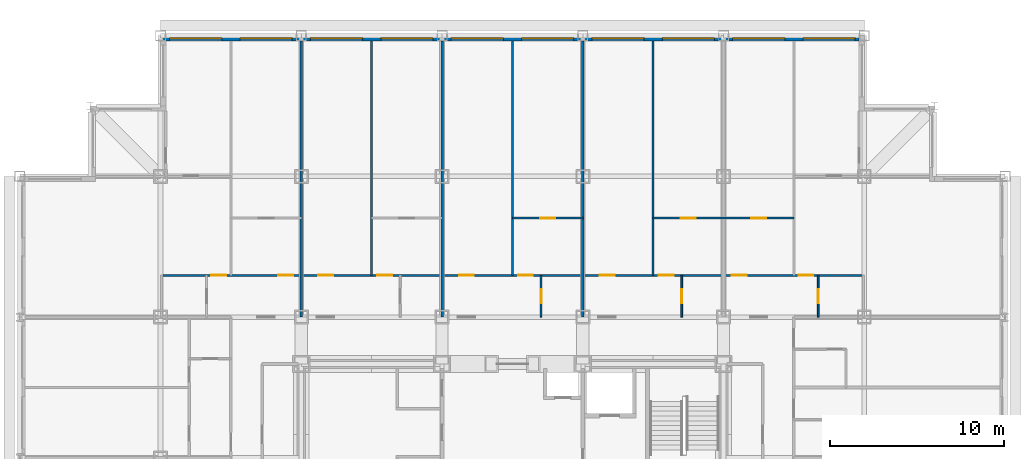
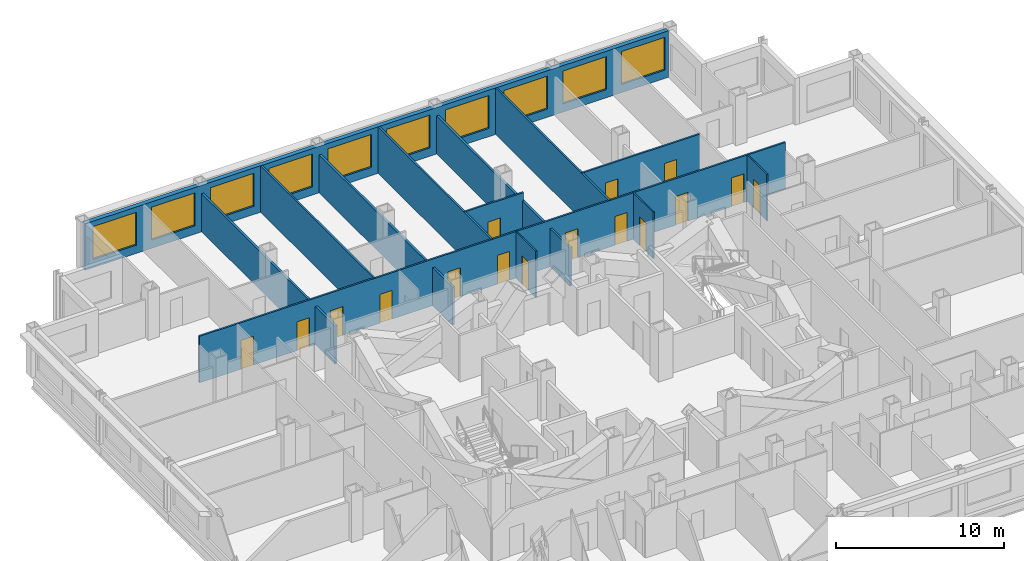
# One storey, part 10 of 12: 16 doors, 13 walls, 10 windows, 26 openings.
"""IFC4 building model written with IfcOpenShell, lengths in metres."""

from ifc_helpers import new_model, si_unit, direction, frame, frame_2d, origin, place, context, subcontext, project, spatial, rectangle, extrude, material, layer, layer_set, type_object, element, fill, save


model = new_model("IFC4")

# Units and contexts
model_context = context("Model", 3, precision=1e-05, world=origin(), true_north=direction((0.0, 1.0)))
body_context = subcontext(model_context, "Body", "Model", "MODEL_VIEW")
ifc_project = project(units=[si_unit("LENGTHUNIT", "METRE"), si_unit("AREAUNIT", "SQUARE_METRE"), si_unit("VOLUMEUNIT", "CUBIC_METRE"), si_unit("PLANEANGLEUNIT", "RADIAN"), si_unit("MASSUNIT", "GRAM", prefix="KILO")], contexts=[model_context])

# Site, building, storey
site_placement = place(None, origin())
site = spatial("IfcSite", under=ifc_project, at=site_placement, CompositionType="ELEMENT")
building_placement = place(site_placement, origin())
building = spatial("IfcBuilding", under=site, at=building_placement, Name="Kopane Lantern Tower", CompositionType="ELEMENT")
storey_placement = place(building_placement, frame((0.0, 0.0, 170.39990234375)))
storey = spatial("IfcBuildingStorey", under=building, at=storey_placement, Name="L43", CompositionType="ELEMENT", Elevation=170.39990234375)

# Walls
ifc_material_1 = material(Name="Gypsum board on steel studs", Category="steel")
ifc_layer_1 = layer(ifc_material_1, 0.1201171875)
ifc_layer_set_1 = layer_set([ifc_layer_1], Name="APARTMENT INTERNAL WALL 120")
wall_type_1 = type_object("IfcWallType", Name="APARTMENT INTERNAL WALL 120", PredefinedType="PARTITIONING", material=ifc_layer_set_1)
for number, where, z_axis, x_axis, name in (
    (1, (20.25, 45.60009765625, 0.0), (0.0, 0.0, 1.0), (0.0, 1.0, 0.0), "Apartment Internal Wall 120 L43"),
    (2, (28.35009765625, 45.60009765625, 0.0), (0.0, 0.0, 1.0), (0.0, 1.0, 0.0), "Apartment Internal Wall 120 L43"),
    (3, (36.449951171875, 45.60009765625, 0.0), (0.0, 0.0, 1.0), (0.0, 1.0, 0.0), "Apartment Internal Wall 120 L43"),
):
    element("IfcWall", number, at=place(storey_placement, frame(where, z_axis=z_axis, x_axis=x_axis)), inside=storey, type_object=wall_type_1, Name=name, PredefinedType="PARTITIONING", context=body_context, shape_type="SweptSolid", body=[
        extrude(rectangle(XDim=13.5, YDim=0.1201171875, at=frame_2d((6.75, 0.0))), origin(), (0.0, 0.0, 1.0), 3.39013671875),
    ])

# Wall, openings, doors
wall_1_placement = place(storey_placement, frame((8.14990234375, 45.60009765625, 0.0), z_axis=(0.0, 0.0, 1.0), x_axis=(1.0, 0.0, 0.0)))
wall_1 = element("IfcWall", 4, at=wall_1_placement, inside=storey, type_object=wall_type_1, Name="Apartment Internal Wall 120 L43", PredefinedType="PARTITIONING", context=body_context, shape_type="SweptSolid", body=[
    extrude(rectangle(XDim=40.400146484375, YDim=0.1201171875, at=frame_2d((20.2001953125, 0.0))), origin(), (0.0, 0.0, 1.0), 3.39013671875),
])
opening_1_placement = place(wall_1_placement, frame((9.02490234375, 0.0, 0.0)))
opening_1 = element("IfcOpeningElement", 5, at=opening_1_placement, cuts=wall_1, Name="Opening L43-022", PredefinedType="OPENING", context=body_context, shape_type="SweptSolid", body=[
    extrude(rectangle(XDim=0.85009765625, YDim=2.10009765625, at=frame_2d((0.425048828125, 1.050048828125))), frame((0.0, 0.070068359375, 0.0), z_axis=(0.0, -1.0, 0.0), x_axis=(1.0, 0.0, 0.0)), (0.0, 0.0, 1.0), 0.14013671875),
])
opening_2_placement = place(wall_1_placement, frame((12.425048828125, 0.0, 0.0)))
opening_2 = element("IfcOpeningElement", 6, at=opening_2_placement, cuts=wall_1, Name="Opening L43-023", PredefinedType="OPENING", context=body_context, shape_type="SweptSolid", body=[
    extrude(rectangle(XDim=0.85009765625, YDim=2.10009765625, at=frame_2d((0.425048828125, 1.050048828125))), frame((0.0, 0.070068359375, 0.0), z_axis=(0.0, -1.0, 0.0), x_axis=(1.0, 0.0, 0.0)), (0.0, 0.0, 1.0), 0.14013671875),
])
opening_3_placement = place(wall_1_placement, frame((17.125, 0.0, 0.0)))
opening_3 = element("IfcOpeningElement", 7, at=opening_3_placement, cuts=wall_1, Name="Opening L43-026", PredefinedType="OPENING", context=body_context, shape_type="SweptSolid", body=[
    extrude(rectangle(XDim=0.85009765625, YDim=2.10009765625, at=frame_2d((0.425048828125, 1.050048828125))), frame((0.0, 0.070068359375, 0.0), z_axis=(0.0, -1.0, 0.0), x_axis=(1.0, 0.0, 0.0)), (0.0, 0.0, 1.0), 0.14013671875),
])
opening_4_placement = place(wall_1_placement, frame((20.52490234375, 0.0, 0.0)))
opening_4 = element("IfcOpeningElement", 8, at=opening_4_placement, cuts=wall_1, Name="Opening L43-027", PredefinedType="OPENING", context=body_context, shape_type="SweptSolid", body=[
    extrude(rectangle(XDim=0.85009765625, YDim=2.10009765625, at=frame_2d((0.425048828125, 1.050048828125))), frame((0.0, 0.070068359375, 0.0), z_axis=(0.0, -1.0, 0.0), x_axis=(1.0, 0.0, 0.0)), (0.0, 0.0, 1.0), 0.14013671875),
])
opening_5_placement = place(wall_1_placement, frame((25.22509765625, 0.0, 0.0)))
opening_5 = element("IfcOpeningElement", 9, at=opening_5_placement, cuts=wall_1, Name="Opening L43-030", PredefinedType="OPENING", context=body_context, shape_type="SweptSolid", body=[
    extrude(rectangle(XDim=0.85009765625, YDim=2.10009765625, at=frame_2d((0.425048828125, 1.050048828125))), frame((0.0, 0.070068359375, 0.0), z_axis=(0.0, -1.0, 0.0), x_axis=(1.0, 0.0, 0.0)), (0.0, 0.0, 1.0), 0.14013671875),
])
opening_6_placement = place(wall_1_placement, frame((28.625, 0.0, 0.0)))
opening_6 = element("IfcOpeningElement", 10, at=opening_6_placement, cuts=wall_1, Name="Opening L43-031", PredefinedType="OPENING", context=body_context, shape_type="SweptSolid", body=[
    extrude(rectangle(XDim=0.85009765625, YDim=2.10009765625, at=frame_2d((0.425048828125, 1.050048828125))), frame((0.0, 0.070068359375, 0.0), z_axis=(0.0, -1.0, 0.0), x_axis=(1.0, 0.0, 0.0)), (0.0, 0.0, 1.0), 0.14013671875),
])
opening_7_placement = place(wall_1_placement, frame((32.824951171875, 0.0, 0.0)))
opening_7 = element("IfcOpeningElement", 11, at=opening_7_placement, cuts=wall_1, Name="Opening L43-063", PredefinedType="OPENING", context=body_context, shape_type="SweptSolid", body=[
    extrude(rectangle(XDim=0.85009765625, YDim=2.10009765625, at=frame_2d((0.425048828125, 1.050048828125))), frame((0.0, 0.070068359375, 0.0), z_axis=(0.0, -1.0, 0.0), x_axis=(1.0, 0.0, 0.0)), (0.0, 0.0, 1.0), 0.14013671875),
])
opening_8_placement = place(wall_1_placement, frame((36.675048828125, 0.0, 0.0)))
opening_8 = element("IfcOpeningElement", 12, at=opening_8_placement, cuts=wall_1, Name="Opening L43-065", PredefinedType="OPENING", context=body_context, shape_type="SweptSolid", body=[
    extrude(rectangle(XDim=0.85009765625, YDim=2.10009765625, at=frame_2d((0.425048828125, 1.050048828125))), frame((0.0, 0.070068359375, 0.0), z_axis=(0.0, -1.0, 0.0), x_axis=(1.0, 0.0, 0.0)), (0.0, 0.0, 1.0), 0.14013671875),
])
opening_9_placement = place(wall_1_placement, frame((6.72509765625, 0.0, 0.0)))
opening_9 = element("IfcOpeningElement", 13, at=opening_9_placement, cuts=wall_1, Name="Opening L43-068", PredefinedType="OPENING", context=body_context, shape_type="SweptSolid", body=[
    extrude(rectangle(XDim=0.85009765625, YDim=2.10009765625, at=frame_2d((0.425048828125, 1.050048828125))), frame((0.0, 0.070068359375, 0.0), z_axis=(0.0, -1.0, 0.0), x_axis=(1.0, 0.0, 0.0)), (0.0, 0.0, 1.0), 0.14013671875),
])
opening_10_placement = place(wall_1_placement, frame((2.875, 0.0, 0.0)))
opening_10 = element("IfcOpeningElement", 14, at=opening_10_placement, cuts=wall_1, Name="Opening L43-070", PredefinedType="OPENING", context=body_context, shape_type="SweptSolid", body=[
    extrude(rectangle(XDim=0.85009765625, YDim=2.10009765625, at=frame_2d((0.425048828125, 1.050048828125))), frame((0.0, 0.070068359375, 0.0), z_axis=(0.0, -1.0, 0.0), x_axis=(1.0, 0.0, 0.0)), (0.0, 0.0, 1.0), 0.14013671875),
])
ifc_material_2 = material(Name="Timber door set", Category="wood")
door_type_1 = type_object("IfcDoorType", Name="DOOR D4 850x2100", OperationType="SINGLE_SWING_LEFT", PredefinedType="DOOR", material=ifc_material_2)
door_1_placement = place(opening_1_placement, origin())
door_1 = element("IfcDoor", 15, at=door_1_placement, inside=storey, type_object=door_type_1, Name="Door L43-022", OperationType="SINGLE_SWING_RIGHT", OverallHeight=2.10009765625, OverallWidth=0.85009765625, PredefinedType="DOOR", context=body_context, shape_type="SweptSolid", body=[
    extrude(rectangle(XDim=0.85009765625, YDim=2.10009765625, at=frame_2d((0.425048828125, 1.050048828125))), frame((0.0, 0.02490234375, 0.0), z_axis=(0.0, -1.0, 0.0), x_axis=(1.0, 0.0, 0.0)), (0.0, 0.0, 1.0), 0.050048828125),
])
fill(opening_1, door_1)
door_2_placement = place(opening_2_placement, origin())
door_2 = element("IfcDoor", 16, at=door_2_placement, inside=storey, type_object=door_type_1, Name="Door L43-023", OperationType="SINGLE_SWING_LEFT", OverallHeight=2.10009765625, OverallWidth=0.85009765625, PredefinedType="DOOR", context=body_context, shape_type="SweptSolid", body=[
    extrude(rectangle(XDim=0.85009765625, YDim=2.10009765625, at=frame_2d((0.425048828125, 1.050048828125))), frame((0.0, 0.02490234375, 0.0), z_axis=(0.0, -1.0, 0.0), x_axis=(1.0, 0.0, 0.0)), (0.0, 0.0, 1.0), 0.050048828125),
])
fill(opening_2, door_2)
door_3_placement = place(opening_3_placement, origin())
door_3 = element("IfcDoor", 17, at=door_3_placement, inside=storey, type_object=door_type_1, Name="Door L43-026", OperationType="SINGLE_SWING_RIGHT", OverallHeight=2.10009765625, OverallWidth=0.85009765625, PredefinedType="DOOR", context=body_context, shape_type="SweptSolid", body=[
    extrude(rectangle(XDim=0.85009765625, YDim=2.10009765625, at=frame_2d((0.425048828125, 1.050048828125))), frame((0.0, 0.02490234375, 0.0), z_axis=(0.0, -1.0, 0.0), x_axis=(1.0, 0.0, 0.0)), (0.0, 0.0, 1.0), 0.050048828125),
])
fill(opening_3, door_3)
door_4_placement = place(opening_4_placement, origin())
door_4 = element("IfcDoor", 18, at=door_4_placement, inside=storey, type_object=door_type_1, Name="Door L43-027", OperationType="SINGLE_SWING_LEFT", OverallHeight=2.10009765625, OverallWidth=0.85009765625, PredefinedType="DOOR", context=body_context, shape_type="SweptSolid", body=[
    extrude(rectangle(XDim=0.85009765625, YDim=2.10009765625, at=frame_2d((0.425048828125, 1.050048828125))), frame((0.0, 0.02490234375, 0.0), z_axis=(0.0, -1.0, 0.0), x_axis=(1.0, 0.0, 0.0)), (0.0, 0.0, 1.0), 0.050048828125),
])
fill(opening_4, door_4)
door_5_placement = place(opening_5_placement, origin())
door_5 = element("IfcDoor", 19, at=door_5_placement, inside=storey, type_object=door_type_1, Name="Door L43-030", OperationType="SINGLE_SWING_RIGHT", OverallHeight=2.10009765625, OverallWidth=0.85009765625, PredefinedType="DOOR", context=body_context, shape_type="SweptSolid", body=[
    extrude(rectangle(XDim=0.85009765625, YDim=2.10009765625, at=frame_2d((0.425048828125, 1.050048828125))), frame((0.0, 0.02490234375, 0.0), z_axis=(0.0, -1.0, 0.0), x_axis=(1.0, 0.0, 0.0)), (0.0, 0.0, 1.0), 0.050048828125),
])
fill(opening_5, door_5)
door_6_placement = place(opening_6_placement, origin())
door_6 = element("IfcDoor", 20, at=door_6_placement, inside=storey, type_object=door_type_1, Name="Door L43-031", OperationType="SINGLE_SWING_LEFT", OverallHeight=2.10009765625, OverallWidth=0.85009765625, PredefinedType="DOOR", context=body_context, shape_type="SweptSolid", body=[
    extrude(rectangle(XDim=0.85009765625, YDim=2.10009765625, at=frame_2d((0.425048828125, 1.050048828125))), frame((0.0, 0.02490234375, 0.0), z_axis=(0.0, -1.0, 0.0), x_axis=(1.0, 0.0, 0.0)), (0.0, 0.0, 1.0), 0.050048828125),
])
fill(opening_6, door_6)
door_7_placement = place(opening_7_placement, origin())
door_7 = element("IfcDoor", 21, at=door_7_placement, inside=storey, type_object=door_type_1, Name="Door L43-063", OperationType="SINGLE_SWING_RIGHT", OverallHeight=2.10009765625, OverallWidth=0.85009765625, PredefinedType="DOOR", context=body_context, shape_type="SweptSolid", body=[
    extrude(rectangle(XDim=0.85009765625, YDim=2.10009765625, at=frame_2d((0.425048828125, 1.050048828125))), frame((0.0, 0.02490234375, 0.0), z_axis=(0.0, -1.0, 0.0), x_axis=(1.0, 0.0, 0.0)), (0.0, 0.0, 1.0), 0.050048828125),
])
fill(opening_7, door_7)
door_8_placement = place(opening_8_placement, origin())
door_8 = element("IfcDoor", 22, at=door_8_placement, inside=storey, type_object=door_type_1, Name="Door L43-065", OperationType="SINGLE_SWING_LEFT", OverallHeight=2.10009765625, OverallWidth=0.85009765625, PredefinedType="DOOR", context=body_context, shape_type="SweptSolid", body=[
    extrude(rectangle(XDim=0.85009765625, YDim=2.10009765625, at=frame_2d((0.425048828125, 1.050048828125))), frame((0.0, 0.02490234375, 0.0), z_axis=(0.0, -1.0, 0.0), x_axis=(1.0, 0.0, 0.0)), (0.0, 0.0, 1.0), 0.050048828125),
])
fill(opening_8, door_8)
door_9_placement = place(opening_9_placement, origin())
door_9 = element("IfcDoor", 23, at=door_9_placement, inside=storey, type_object=door_type_1, Name="Door L43-068", OperationType="SINGLE_SWING_LEFT", OverallHeight=2.10009765625, OverallWidth=0.85009765625, PredefinedType="DOOR", context=body_context, shape_type="SweptSolid", body=[
    extrude(rectangle(XDim=0.85009765625, YDim=2.10009765625, at=frame_2d((0.425048828125, 1.050048828125))), frame((0.0, 0.02490234375, 0.0), z_axis=(0.0, -1.0, 0.0), x_axis=(1.0, 0.0, 0.0)), (0.0, 0.0, 1.0), 0.050048828125),
])
fill(opening_9, door_9)
door_10_placement = place(opening_10_placement, origin())
door_10 = element("IfcDoor", 24, at=door_10_placement, inside=storey, type_object=door_type_1, Name="Door L43-070", OperationType="SINGLE_SWING_RIGHT", OverallHeight=2.10009765625, OverallWidth=0.85009765625, PredefinedType="DOOR", context=body_context, shape_type="SweptSolid", body=[
    extrude(rectangle(XDim=0.85009765625, YDim=2.10009765625, at=frame_2d((0.425048828125, 1.050048828125))), frame((0.0, 0.02490234375, 0.0), z_axis=(0.0, -1.0, 0.0), x_axis=(1.0, 0.0, 0.0)), (0.0, 0.0, 1.0), 0.050048828125),
])
fill(opening_10, door_10)

# Wall, opening, door
wall_2_placement = place(storey_placement, frame((28.35009765625, 48.89990234375, 0.0), z_axis=(0.0, 0.0, 1.0), x_axis=(1.0, 0.0, 0.0)))
wall_2 = element("IfcWall", 25, at=wall_2_placement, inside=storey, type_object=wall_type_1, Name="Apartment Internal Wall 120 L43", PredefinedType="PARTITIONING", context=body_context, shape_type="SweptSolid", body=[
    extrude(rectangle(XDim=4.0498046875, YDim=0.1201171875, at=frame_2d((2.02490234375, 0.0))), origin(), (0.0, 0.0, 1.0), 3.39013671875),
])
opening_11_placement = place(wall_2_placement, frame((1.60009765625, 0.0, 0.0)))
opening_11 = element("IfcOpeningElement", 26, at=opening_11_placement, cuts=wall_2, Name="Opening L43-075", PredefinedType="OPENING", context=body_context, shape_type="SweptSolid", body=[
    extrude(rectangle(XDim=0.85009765625, YDim=2.10009765625, at=frame_2d((0.425048828125, 1.050048828125))), frame((0.0, 0.070068359375, 0.0), z_axis=(0.0, -1.0, 0.0), x_axis=(1.0, 0.0, 0.0)), (0.0, 0.0, 1.0), 0.14013671875),
])
door_11_placement = place(opening_11_placement, origin())
door_11 = element("IfcDoor", 27, at=door_11_placement, inside=storey, type_object=door_type_1, Name="Door L43-075", OperationType="SINGLE_SWING_RIGHT", OverallHeight=2.10009765625, OverallWidth=0.85009765625, PredefinedType="DOOR", context=body_context, shape_type="SweptSolid", body=[
    extrude(rectangle(XDim=0.85009765625, YDim=2.10009765625, at=frame_2d((0.425048828125, 1.050048828125))), frame((0.0, 0.02490234375, 0.0), z_axis=(0.0, -1.0, 0.0), x_axis=(1.0, 0.0, 0.0)), (0.0, 0.0, 1.0), 0.050048828125),
])
fill(opening_11, door_11)

# Wall, openings, doors
wall_3_placement = place(storey_placement, frame((36.449951171875, 48.89990234375, 0.0), z_axis=(0.0, 0.0, 1.0), x_axis=(1.0, 0.0, 0.0)))
wall_3 = element("IfcWall", 28, at=wall_3_placement, inside=storey, type_object=wall_type_1, Name="Apartment Internal Wall 120 L43", PredefinedType="PARTITIONING", context=body_context, shape_type="SweptSolid", body=[
    extrude(rectangle(XDim=8.10009765625, YDim=0.1201171875, at=frame_2d((4.050048828125, 0.0))), origin(), (0.0, 0.0, 1.0), 3.39013671875),
])
opening_12_placement = place(wall_3_placement, frame((1.60009765625, 0.0, 0.0)))
opening_12 = element("IfcOpeningElement", 29, at=opening_12_placement, cuts=wall_3, Name="Opening L43-076", PredefinedType="OPENING", context=body_context, shape_type="SweptSolid", body=[
    extrude(rectangle(XDim=0.85009765625, YDim=2.10009765625, at=frame_2d((0.425048828125, 1.050048828125))), frame((0.0, 0.070068359375, 0.0), z_axis=(0.0, -1.0, 0.0), x_axis=(1.0, 0.0, 0.0)), (0.0, 0.0, 1.0), 0.14013671875),
])
opening_13_placement = place(wall_3_placement, frame((5.64990234375, 0.0, 0.0)))
opening_13 = element("IfcOpeningElement", 30, at=opening_13_placement, cuts=wall_3, Name="Opening L43-077", PredefinedType="OPENING", context=body_context, shape_type="SweptSolid", body=[
    extrude(rectangle(XDim=0.85009765625, YDim=2.10009765625, at=frame_2d((0.425048828125, 1.050048828125))), frame((0.0, 0.070068359375, 0.0), z_axis=(0.0, -1.0, 0.0), x_axis=(1.0, 0.0, 0.0)), (0.0, 0.0, 1.0), 0.14013671875),
])
door_12_placement = place(opening_12_placement, origin())
door_12 = element("IfcDoor", 31, at=door_12_placement, inside=storey, type_object=door_type_1, Name="Door L43-076", OperationType="SINGLE_SWING_RIGHT", OverallHeight=2.10009765625, OverallWidth=0.85009765625, PredefinedType="DOOR", context=body_context, shape_type="SweptSolid", body=[
    extrude(rectangle(XDim=0.85009765625, YDim=2.10009765625, at=frame_2d((0.425048828125, 1.050048828125))), frame((0.0, 0.02490234375, 0.0), z_axis=(0.0, -1.0, 0.0), x_axis=(1.0, 0.0, 0.0)), (0.0, 0.0, 1.0), 0.050048828125),
])
fill(opening_12, door_12)
door_13_placement = place(opening_13_placement, origin())
door_13 = element("IfcDoor", 32, at=door_13_placement, inside=storey, type_object=door_type_1, Name="Door L43-077", OperationType="SINGLE_SWING_LEFT", OverallHeight=2.10009765625, OverallWidth=0.85009765625, PredefinedType="DOOR", context=body_context, shape_type="SweptSolid", body=[
    extrude(rectangle(XDim=0.85009765625, YDim=2.10009765625, at=frame_2d((0.425048828125, 1.050048828125))), frame((0.0, 0.02490234375, 0.0), z_axis=(0.0, -1.0, 0.0), x_axis=(1.0, 0.0, 0.0)), (0.0, 0.0, 1.0), 0.050048828125),
])
fill(opening_13, door_13)

# Wall, opening, door
ifc_material_3 = material(Name="Moisture-resistant board on steel studs", Category="steel")
ifc_layer_2 = layer(ifc_material_3, 0.10009765625)
ifc_layer_set_2 = layer_set([ifc_layer_2], Name="BATHROOM WALL 100")
wall_type_2 = type_object("IfcWallType", Name="BATHROOM WALL 100", PredefinedType="PARTITIONING", material=ifc_layer_set_2)
wall_4_placement = place(storey_placement, frame((30.0, 43.199951171875, 0.0), z_axis=(0.0, 0.0, 1.0), x_axis=(0.0, 1.0, 0.0)))
wall_4 = element("IfcWall", 33, at=wall_4_placement, inside=storey, type_object=wall_type_2, Name="Bathroom Wall 100 L43", PredefinedType="PARTITIONING", context=body_context, shape_type="SweptSolid", body=[
    extrude(rectangle(XDim=2.400146484375, YDim=0.10009765625, at=frame_2d((1.2001953125, 0.0))), origin(), (0.0, 0.0, 1.0), 3.39013671875),
])
opening_14_placement = place(wall_4_placement, frame((0.800048828125, 0.0, 0.0)))
opening_14 = element("IfcOpeningElement", 34, at=opening_14_placement, cuts=wall_4, Name="Opening L43-024", PredefinedType="OPENING", context=body_context, shape_type="SweptSolid", body=[
    extrude(rectangle(XDim=0.800048828125, YDim=2.10009765625, at=frame_2d((0.39990234375, 1.050048828125))), frame((0.0, 0.06005859375, 0.0), z_axis=(0.0, -1.0, 0.0), x_axis=(1.0, 0.0, 0.0)), (0.0, 0.0, 1.0), 0.1201171875),
])
ifc_material_4 = material(Name="Timber door set", Category="wood")
door_type_2 = type_object("IfcDoorType", Name="DOOR D2 800x2100", OperationType="SINGLE_SWING_LEFT", PredefinedType="DOOR", material=ifc_material_4)
door_14_placement = place(opening_14_placement, origin())
door_14 = element("IfcDoor", 35, at=door_14_placement, inside=storey, type_object=door_type_2, Name="Door L43-024", OperationType="SINGLE_SWING_RIGHT", OverallHeight=2.10009765625, OverallWidth=0.800048828125, PredefinedType="DOOR", context=body_context, shape_type="SweptSolid", body=[
    extrude(rectangle(XDim=0.800048828125, YDim=2.10009765625, at=frame_2d((0.39990234375, 1.050048828125))), frame((0.0, 0.02490234375, 0.0), z_axis=(0.0, -1.0, 0.0), x_axis=(1.0, 0.0, 0.0)), (0.0, 0.0, 1.0), 0.050048828125),
])
fill(opening_14, door_14)

wall_5_placement = place(storey_placement, frame((38.10009765625, 43.199951171875, 0.0), z_axis=(0.0, 0.0, 1.0), x_axis=(0.0, 1.0, 0.0)))
wall_5 = element("IfcWall", 36, at=wall_5_placement, inside=storey, type_object=wall_type_2, Name="Bathroom Wall 100 L43", PredefinedType="PARTITIONING", context=body_context, shape_type="SweptSolid", body=[
    extrude(rectangle(XDim=2.400146484375, YDim=0.10009765625, at=frame_2d((1.2001953125, 0.0))), origin(), (0.0, 0.0, 1.0), 3.39013671875),
])
opening_15_placement = place(wall_5_placement, frame((0.800048828125, 0.0, 0.0)))
opening_15 = element("IfcOpeningElement", 37, at=opening_15_placement, cuts=wall_5, Name="Opening L43-028", PredefinedType="OPENING", context=body_context, shape_type="SweptSolid", body=[
    extrude(rectangle(XDim=0.800048828125, YDim=2.10009765625, at=frame_2d((0.39990234375, 1.050048828125))), frame((0.0, 0.06005859375, 0.0), z_axis=(0.0, -1.0, 0.0), x_axis=(1.0, 0.0, 0.0)), (0.0, 0.0, 1.0), 0.1201171875),
])
door_15_placement = place(opening_15_placement, origin())
door_15 = element("IfcDoor", 38, at=door_15_placement, inside=storey, type_object=door_type_2, Name="Door L43-028", OperationType="SINGLE_SWING_RIGHT", OverallHeight=2.10009765625, OverallWidth=0.800048828125, PredefinedType="DOOR", context=body_context, shape_type="SweptSolid", body=[
    extrude(rectangle(XDim=0.800048828125, YDim=2.10009765625, at=frame_2d((0.39990234375, 1.050048828125))), frame((0.0, 0.02490234375, 0.0), z_axis=(0.0, -1.0, 0.0), x_axis=(1.0, 0.0, 0.0)), (0.0, 0.0, 1.0), 0.050048828125),
])
fill(opening_15, door_15)

wall_6_placement = place(storey_placement, frame((45.949951171875, 43.199951171875, 0.0), z_axis=(0.0, 0.0, 1.0), x_axis=(0.0, 1.0, 0.0)))
wall_6 = element("IfcWall", 39, at=wall_6_placement, inside=storey, type_object=wall_type_2, Name="Bathroom Wall 100 L43", PredefinedType="PARTITIONING", context=body_context, shape_type="SweptSolid", body=[
    extrude(rectangle(XDim=2.400146484375, YDim=0.10009765625, at=frame_2d((1.2001953125, 0.0))), origin(), (0.0, 0.0, 1.0), 3.39013671875),
])
opening_16_placement = place(wall_6_placement, frame((0.800048828125, 0.0, 0.0)))
opening_16 = element("IfcOpeningElement", 40, at=opening_16_placement, cuts=wall_6, Name="Opening L43-064", PredefinedType="OPENING", context=body_context, shape_type="SweptSolid", body=[
    extrude(rectangle(XDim=0.800048828125, YDim=2.10009765625, at=frame_2d((0.39990234375, 1.050048828125))), frame((0.0, 0.06005859375, 0.0), z_axis=(0.0, -1.0, 0.0), x_axis=(1.0, 0.0, 0.0)), (0.0, 0.0, 1.0), 0.1201171875),
])
door_16_placement = place(opening_16_placement, origin())
door_16 = element("IfcDoor", 41, at=door_16_placement, inside=storey, type_object=door_type_2, Name="Door L43-064", OperationType="SINGLE_SWING_RIGHT", OverallHeight=2.10009765625, OverallWidth=0.800048828125, PredefinedType="DOOR", context=body_context, shape_type="SweptSolid", body=[
    extrude(rectangle(XDim=0.800048828125, YDim=2.10009765625, at=frame_2d((0.39990234375, 1.050048828125))), frame((0.0, 0.02490234375, 0.0), z_axis=(0.0, -1.0, 0.0), x_axis=(1.0, 0.0, 0.0)), (0.0, 0.0, 1.0), 0.050048828125),
])
fill(opening_16, door_16)

# Walls
ifc_material_5 = material(Name="Gypsum board on steel studs", Category="steel")
ifc_layer_3 = layer(ifc_material_5, 0.14990234375)
ifc_layer_set_3 = layer_set([ifc_layer_3], Name="DEMISING WALL 150 EI 60")
wall_type_3 = type_object("IfcWallType", Name="DEMISING WALL 150 EI 60", PredefinedType="PARTITIONING", material=ifc_layer_set_3)
for number, where, z_axis, x_axis, name in (
    (42, (24.300048828125, 43.199951171875, 0.0), (0.0, 0.0, 1.0), (0.0, 1.0, 0.0), "Demising Wall 150 Ei 60 L43"),
    (43, (32.39990234375, 43.199951171875, 0.0), (0.0, 0.0, 1.0), (0.0, 1.0, 0.0), "Demising Wall 150 Ei 60 L43"),
    (44, (16.199951171875, 43.199951171875, 0.0), (0.0, 0.0, 1.0), (0.0, 1.0, 0.0), "Demising Wall 150 Ei 60 L43"),
):
    element("IfcWall", number, at=place(storey_placement, frame(where, z_axis=z_axis, x_axis=x_axis)), inside=storey, type_object=wall_type_3, Name=name, PredefinedType="PARTITIONING", context=body_context, shape_type="SweptSolid", body=[
        extrude(rectangle(XDim=15.900146484375, YDim=0.14990234375, at=frame_2d((7.9501953125, 0.0))), origin(), (0.0, 0.0, 1.0), 2.77783203125),
    ])

# Wall, openings, windows
ifc_material_6 = material(Name="Terracotta rainscreen on light steel framing", Category="masonry")
ifc_layer_4 = layer(ifc_material_6, 0.300048828125)
ifc_layer_set_4 = layer_set([ifc_layer_4], Name="EXTERNAL WALL EW1 300 TERRACOTTA")
wall_type_4 = type_object("IfcWallType", Name="EXTERNAL WALL EW1 300 TERRACOTTA", PredefinedType="SOLIDWALL", material=ifc_layer_set_4)
wall_7_placement = place(storey_placement, frame((48.300048828125, 59.25, 0.0), z_axis=(0.0, 0.0, 1.0), x_axis=(-1.0, 0.0, 0.0)))
wall_7 = element("IfcWall", 45, at=wall_7_placement, inside=storey, type_object=wall_type_4, Name="External wall N L43", PredefinedType="SOLIDWALL", context=body_context, shape_type="SweptSolid", body=[
    extrude(rectangle(XDim=40.199951171875, YDim=0.300048828125, at=frame_2d((20.10009765625, 0.0))), origin(), (0.0, 0.0, 1.0), 3.39013671875),
])
opening_17_placement = place(wall_7_placement, frame((0.22509765625, 0.0, 0.60009765625)))
opening_17 = element("IfcOpeningElement", 46, at=opening_17_placement, cuts=wall_7, Name="Opening WR300240", PredefinedType="OPENING", context=body_context, shape_type="SweptSolid", body=[
    extrude(rectangle(XDim=3.0, YDim=2.39990234375, at=frame_2d((1.5, 1.199951171875))), frame((0.0, 0.159912109375, 0.0), z_axis=(0.0, -1.0, 0.0), x_axis=(1.0, 0.0, 0.0)), (0.0, 0.0, 1.0), 0.320068359375),
])
opening_18_placement = place(wall_7_placement, frame((4.27490234375, 0.0, 0.60009765625)))
opening_18 = element("IfcOpeningElement", 47, at=opening_18_placement, cuts=wall_7, Name="Opening WR300240", PredefinedType="OPENING", context=body_context, shape_type="SweptSolid", body=[
    extrude(rectangle(XDim=3.0, YDim=2.39990234375, at=frame_2d((1.5, 1.199951171875))), frame((0.0, 0.159912109375, 0.0), z_axis=(0.0, -1.0, 0.0), x_axis=(1.0, 0.0, 0.0)), (0.0, 0.0, 1.0), 0.320068359375),
])
opening_19_placement = place(wall_7_placement, frame((8.324951171875, 0.0, 0.60009765625)))
opening_19 = element("IfcOpeningElement", 48, at=opening_19_placement, cuts=wall_7, Name="Opening WR300240", PredefinedType="OPENING", context=body_context, shape_type="SweptSolid", body=[
    extrude(rectangle(XDim=3.0, YDim=2.39990234375, at=frame_2d((1.5, 1.199951171875))), frame((0.0, 0.159912109375, 0.0), z_axis=(0.0, -1.0, 0.0), x_axis=(1.0, 0.0, 0.0)), (0.0, 0.0, 1.0), 0.320068359375),
])
opening_20_placement = place(wall_7_placement, frame((12.375, 0.0, 0.60009765625)))
opening_20 = element("IfcOpeningElement", 49, at=opening_20_placement, cuts=wall_7, Name="Opening WR300240", PredefinedType="OPENING", context=body_context, shape_type="SweptSolid", body=[
    extrude(rectangle(XDim=3.0, YDim=2.39990234375, at=frame_2d((1.5, 1.199951171875))), frame((0.0, 0.159912109375, 0.0), z_axis=(0.0, -1.0, 0.0), x_axis=(1.0, 0.0, 0.0)), (0.0, 0.0, 1.0), 0.320068359375),
])
opening_21_placement = place(wall_7_placement, frame((16.425048828125, 0.0, 0.60009765625)))
opening_21 = element("IfcOpeningElement", 50, at=opening_21_placement, cuts=wall_7, Name="Opening WR300240", PredefinedType="OPENING", context=body_context, shape_type="SweptSolid", body=[
    extrude(rectangle(XDim=3.0, YDim=2.39990234375, at=frame_2d((1.5, 1.199951171875))), frame((0.0, 0.159912109375, 0.0), z_axis=(0.0, -1.0, 0.0), x_axis=(1.0, 0.0, 0.0)), (0.0, 0.0, 1.0), 0.320068359375),
])
opening_22_placement = place(wall_7_placement, frame((20.47509765625, 0.0, 0.60009765625)))
opening_22 = element("IfcOpeningElement", 51, at=opening_22_placement, cuts=wall_7, Name="Opening WR300240", PredefinedType="OPENING", context=body_context, shape_type="SweptSolid", body=[
    extrude(rectangle(XDim=3.0, YDim=2.39990234375, at=frame_2d((1.5, 1.199951171875))), frame((0.0, 0.159912109375, 0.0), z_axis=(0.0, -1.0, 0.0), x_axis=(1.0, 0.0, 0.0)), (0.0, 0.0, 1.0), 0.320068359375),
])
opening_23_placement = place(wall_7_placement, frame((24.52490234375, 0.0, 0.60009765625)))
opening_23 = element("IfcOpeningElement", 52, at=opening_23_placement, cuts=wall_7, Name="Opening WR300240", PredefinedType="OPENING", context=body_context, shape_type="SweptSolid", body=[
    extrude(rectangle(XDim=3.0, YDim=2.39990234375, at=frame_2d((1.5, 1.199951171875))), frame((0.0, 0.159912109375, 0.0), z_axis=(0.0, -1.0, 0.0), x_axis=(1.0, 0.0, 0.0)), (0.0, 0.0, 1.0), 0.320068359375),
])
opening_24_placement = place(wall_7_placement, frame((28.574951171875, 0.0, 0.60009765625)))
opening_24 = element("IfcOpeningElement", 53, at=opening_24_placement, cuts=wall_7, Name="Opening WR300240", PredefinedType="OPENING", context=body_context, shape_type="SweptSolid", body=[
    extrude(rectangle(XDim=3.0, YDim=2.39990234375, at=frame_2d((1.5, 1.199951171875))), frame((0.0, 0.159912109375, 0.0), z_axis=(0.0, -1.0, 0.0), x_axis=(1.0, 0.0, 0.0)), (0.0, 0.0, 1.0), 0.320068359375),
])
opening_25_placement = place(wall_7_placement, frame((32.625, 0.0, 0.60009765625)))
opening_25 = element("IfcOpeningElement", 54, at=opening_25_placement, cuts=wall_7, Name="Opening WR300240", PredefinedType="OPENING", context=body_context, shape_type="SweptSolid", body=[
    extrude(rectangle(XDim=3.0, YDim=2.39990234375, at=frame_2d((1.5, 1.199951171875))), frame((0.0, 0.159912109375, 0.0), z_axis=(0.0, -1.0, 0.0), x_axis=(1.0, 0.0, 0.0)), (0.0, 0.0, 1.0), 0.320068359375),
])
opening_26_placement = place(wall_7_placement, frame((36.675048828125, 0.0, 0.60009765625)))
opening_26 = element("IfcOpeningElement", 55, at=opening_26_placement, cuts=wall_7, Name="Opening WR300240", PredefinedType="OPENING", context=body_context, shape_type="SweptSolid", body=[
    extrude(rectangle(XDim=3.0, YDim=2.39990234375, at=frame_2d((1.5, 1.199951171875))), frame((0.0, 0.159912109375, 0.0), z_axis=(0.0, -1.0, 0.0), x_axis=(1.0, 0.0, 0.0)), (0.0, 0.0, 1.0), 0.320068359375),
])
ifc_material_7 = material(Name="Aluminium and clear glass", Category="aluminium")
window_type = type_object("IfcWindowType", Name="RIBBON WINDOW WR300240 3000x2400", PartitioningType="SINGLE_PANEL", PredefinedType="WINDOW", material=ifc_material_7)
window_1_placement = place(opening_17_placement, origin())
window_1 = element("IfcWindow", 56, at=window_1_placement, inside=storey, type_object=window_type, Name="Window N L43", OverallHeight=2.39990234375, OverallWidth=3.0, PartitioningType="SINGLE_PANEL", PredefinedType="WINDOW", context=body_context, shape_type="SweptSolid", body=[
    extrude(rectangle(XDim=3.0, YDim=2.39990234375, at=frame_2d((1.5, 1.199951171875))), frame((0.0, 0.030029296875, 0.0), z_axis=(0.0, -1.0, 0.0), x_axis=(1.0, 0.0, 0.0)), (0.0, 0.0, 1.0), 0.06005859375),
])
fill(opening_17, window_1)
window_2_placement = place(opening_18_placement, origin())
window_2 = element("IfcWindow", 57, at=window_2_placement, inside=storey, type_object=window_type, Name="Window N L43", OverallHeight=2.39990234375, OverallWidth=3.0, PartitioningType="SINGLE_PANEL", PredefinedType="WINDOW", context=body_context, shape_type="SweptSolid", body=[
    extrude(rectangle(XDim=3.0, YDim=2.39990234375, at=frame_2d((1.5, 1.199951171875))), frame((0.0, 0.030029296875, 0.0), z_axis=(0.0, -1.0, 0.0), x_axis=(1.0, 0.0, 0.0)), (0.0, 0.0, 1.0), 0.06005859375),
])
fill(opening_18, window_2)
window_3_placement = place(opening_19_placement, origin())
window_3 = element("IfcWindow", 58, at=window_3_placement, inside=storey, type_object=window_type, Name="Window N L43", OverallHeight=2.39990234375, OverallWidth=3.0, PartitioningType="SINGLE_PANEL", PredefinedType="WINDOW", context=body_context, shape_type="SweptSolid", body=[
    extrude(rectangle(XDim=3.0, YDim=2.39990234375, at=frame_2d((1.5, 1.199951171875))), frame((0.0, 0.030029296875, 0.0), z_axis=(0.0, -1.0, 0.0), x_axis=(1.0, 0.0, 0.0)), (0.0, 0.0, 1.0), 0.06005859375),
])
fill(opening_19, window_3)
window_4_placement = place(opening_20_placement, origin())
window_4 = element("IfcWindow", 59, at=window_4_placement, inside=storey, type_object=window_type, Name="Window N L43", OverallHeight=2.39990234375, OverallWidth=3.0, PartitioningType="SINGLE_PANEL", PredefinedType="WINDOW", context=body_context, shape_type="SweptSolid", body=[
    extrude(rectangle(XDim=3.0, YDim=2.39990234375, at=frame_2d((1.5, 1.199951171875))), frame((0.0, 0.030029296875, 0.0), z_axis=(0.0, -1.0, 0.0), x_axis=(1.0, 0.0, 0.0)), (0.0, 0.0, 1.0), 0.06005859375),
])
fill(opening_20, window_4)
window_5_placement = place(opening_21_placement, origin())
window_5 = element("IfcWindow", 60, at=window_5_placement, inside=storey, type_object=window_type, Name="Window N L43", OverallHeight=2.39990234375, OverallWidth=3.0, PartitioningType="SINGLE_PANEL", PredefinedType="WINDOW", context=body_context, shape_type="SweptSolid", body=[
    extrude(rectangle(XDim=3.0, YDim=2.39990234375, at=frame_2d((1.5, 1.199951171875))), frame((0.0, 0.030029296875, 0.0), z_axis=(0.0, -1.0, 0.0), x_axis=(1.0, 0.0, 0.0)), (0.0, 0.0, 1.0), 0.06005859375),
])
fill(opening_21, window_5)
window_6_placement = place(opening_22_placement, origin())
window_6 = element("IfcWindow", 61, at=window_6_placement, inside=storey, type_object=window_type, Name="Window N L43", OverallHeight=2.39990234375, OverallWidth=3.0, PartitioningType="SINGLE_PANEL", PredefinedType="WINDOW", context=body_context, shape_type="SweptSolid", body=[
    extrude(rectangle(XDim=3.0, YDim=2.39990234375, at=frame_2d((1.5, 1.199951171875))), frame((0.0, 0.030029296875, 0.0), z_axis=(0.0, -1.0, 0.0), x_axis=(1.0, 0.0, 0.0)), (0.0, 0.0, 1.0), 0.06005859375),
])
fill(opening_22, window_6)
window_7_placement = place(opening_23_placement, origin())
window_7 = element("IfcWindow", 62, at=window_7_placement, inside=storey, type_object=window_type, Name="Window N L43", OverallHeight=2.39990234375, OverallWidth=3.0, PartitioningType="SINGLE_PANEL", PredefinedType="WINDOW", context=body_context, shape_type="SweptSolid", body=[
    extrude(rectangle(XDim=3.0, YDim=2.39990234375, at=frame_2d((1.5, 1.199951171875))), frame((0.0, 0.030029296875, 0.0), z_axis=(0.0, -1.0, 0.0), x_axis=(1.0, 0.0, 0.0)), (0.0, 0.0, 1.0), 0.06005859375),
])
fill(opening_23, window_7)
window_8_placement = place(opening_24_placement, origin())
window_8 = element("IfcWindow", 63, at=window_8_placement, inside=storey, type_object=window_type, Name="Window N L43", OverallHeight=2.39990234375, OverallWidth=3.0, PartitioningType="SINGLE_PANEL", PredefinedType="WINDOW", context=body_context, shape_type="SweptSolid", body=[
    extrude(rectangle(XDim=3.0, YDim=2.39990234375, at=frame_2d((1.5, 1.199951171875))), frame((0.0, 0.030029296875, 0.0), z_axis=(0.0, -1.0, 0.0), x_axis=(1.0, 0.0, 0.0)), (0.0, 0.0, 1.0), 0.06005859375),
])
fill(opening_24, window_8)
window_9_placement = place(opening_25_placement, origin())
window_9 = element("IfcWindow", 64, at=window_9_placement, inside=storey, type_object=window_type, Name="Window N L43", OverallHeight=2.39990234375, OverallWidth=3.0, PartitioningType="SINGLE_PANEL", PredefinedType="WINDOW", context=body_context, shape_type="SweptSolid", body=[
    extrude(rectangle(XDim=3.0, YDim=2.39990234375, at=frame_2d((1.5, 1.199951171875))), frame((0.0, 0.030029296875, 0.0), z_axis=(0.0, -1.0, 0.0), x_axis=(1.0, 0.0, 0.0)), (0.0, 0.0, 1.0), 0.06005859375),
])
fill(opening_25, window_9)
window_10_placement = place(opening_26_placement, origin())
window_10 = element("IfcWindow", 65, at=window_10_placement, inside=storey, type_object=window_type, Name="Window N L43", OverallHeight=2.39990234375, OverallWidth=3.0, PartitioningType="SINGLE_PANEL", PredefinedType="WINDOW", context=body_context, shape_type="SweptSolid", body=[
    extrude(rectangle(XDim=3.0, YDim=2.39990234375, at=frame_2d((1.5, 1.199951171875))), frame((0.0, 0.030029296875, 0.0), z_axis=(0.0, -1.0, 0.0), x_axis=(1.0, 0.0, 0.0)), (0.0, 0.0, 1.0), 0.06005859375),
])
fill(opening_26, window_10)

save(model, "model.ifc")
